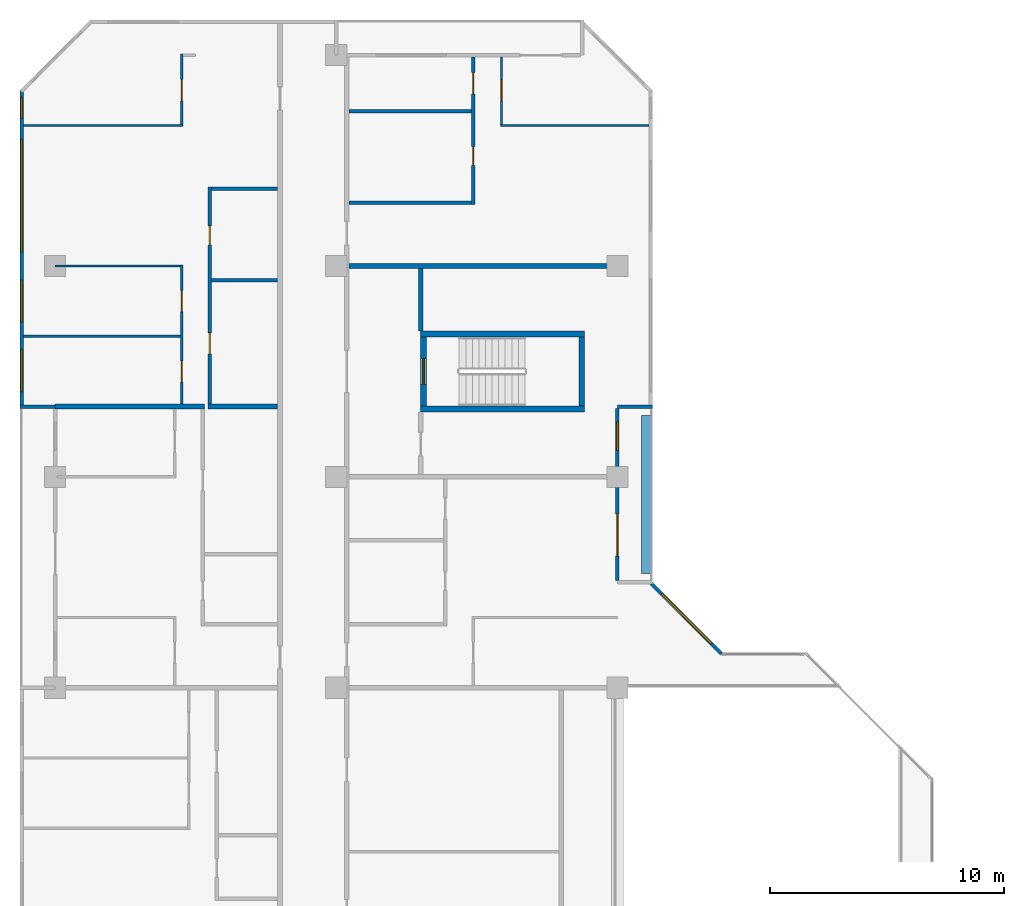
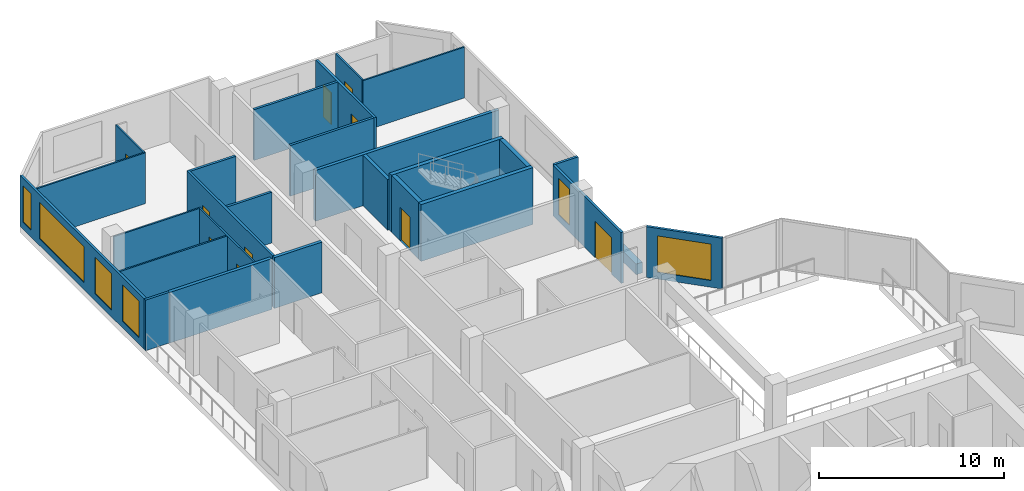
# One storey, part 10 of 14: 27 walls, 10 doors, 6 windows, 16 openings.
"""IFC4 building model written with IfcOpenShell, lengths in metres."""

from ifc_helpers import new_model, si_unit, direction, frame, frame_2d, origin, place, context, subcontext, project, spatial, rectangle, extrude, material, layer, layer_set, type_object, element, fill, save


model = new_model("IFC4")

# Units and contexts
model_context = context("Model", 3, precision=1e-05, world=origin(), true_north=direction((0.0, 1.0)))
body_context = subcontext(model_context, "Body", "Model", "MODEL_VIEW")
ifc_project = project(units=[si_unit("LENGTHUNIT", "METRE"), si_unit("AREAUNIT", "SQUARE_METRE"), si_unit("VOLUMEUNIT", "CUBIC_METRE"), si_unit("PLANEANGLEUNIT", "RADIAN"), si_unit("MASSUNIT", "GRAM", prefix="KILO")], contexts=[model_context])

# Site, building, storey
site_placement = place(None, origin())
site = spatial("IfcSite", under=ifc_project, at=site_placement, CompositionType="ELEMENT")
building_placement = place(site_placement, origin())
building = spatial("IfcBuilding", under=site, at=building_placement, Name="Chenar Terraces", CompositionType="ELEMENT")
storey_placement = place(building_placement, frame((0.0, 0.0, 183.64990234375)))
storey = spatial("IfcBuildingStorey", under=building, at=storey_placement, Name="L42", CompositionType="ELEMENT", Elevation=183.64990234375)

# Walls
ifc_material_1 = material(Name="Concrete C60/75", Category="concrete")
ifc_layer_1 = layer(ifc_material_1, 0.25)
ifc_layer_set_1 = layer_set([ifc_layer_1], Name="Concrete C60/75")
wall_type_1 = type_object("IfcWallType", Name="Core wall 250 Concrete C60/75", PredefinedType="SHEAR", material=ifc_layer_set_1)
for number, where, z_axis, x_axis, name in (
    (1, (15.60009765625, 47.89990234375, 0.0), (0.0, 0.0, 1.0), (1.0, 0.0, 0.0), "Core wall ST4_S L42"),
    (2, (15.60009765625, 51.10009765625, 0.0), (0.0, 0.0, 1.0), (1.0, 0.0, 0.0), "Core wall ST4_N L42"),
):
    element("IfcWall", number, at=place(storey_placement, frame(where, z_axis=z_axis, x_axis=x_axis)), inside=storey, type_object=wall_type_1, Name=name, PredefinedType="SHEAR", context=body_context, shape_type="SweptSolid", body=[
        extrude(rectangle(XDim=7.0, YDim=0.25, at=frame_2d((3.5, 0.0))), origin(), (0.0, 0.0, 1.0), 3.75),
    ])

# Wall, opening, door
wall_1_placement = place(storey_placement, frame((15.72509765625, 48.02490234375, 0.0), z_axis=(0.0, 0.0, 1.0), x_axis=(0.0, 1.0, 0.0)))
wall_1 = element("IfcWall", 3, at=wall_1_placement, inside=storey, type_object=wall_type_1, Name="Core wall ST4_W L42", PredefinedType="SHEAR", context=body_context, shape_type="SweptSolid", body=[
    extrude(rectangle(XDim=2.9501953125, YDim=0.25, at=frame_2d((1.47509765625, 0.0))), origin(), (0.0, 0.0, 1.0), 3.75),
])
opening_1_placement = place(wall_1_placement, frame((0.925048828125, 0.0, 0.0)))
opening_1 = element("IfcOpeningElement", 4, at=opening_1_placement, cuts=wall_1, Name="Opening DL42-C9", PredefinedType="OPENING", context=body_context, shape_type="SweptSolid", body=[
    extrude(rectangle(XDim=1.10009765625, YDim=2.199951171875, at=frame_2d((0.550048828125, 1.10009765625))), frame((0.0, 0.135009765625, 0.0), z_axis=(0.0, -1.0, 0.0), x_axis=(1.0, 0.0, 0.0)), (0.0, 0.0, 1.0), 0.27001953125),
])
ifc_material_2 = material(Name="Steel-framed fire-resisting door leaf", Category="steel")
door_type_1 = type_object("IfcDoorType", Name="Stair fire door FD60 1100 x 2200", OperationType="SINGLE_SWING_LEFT", PredefinedType="DOOR", material=ifc_material_2)
door_1_placement = place(opening_1_placement, frame((1.10009765625, 0.0, 0.0), z_axis=(0.0, 0.0, 1.0), x_axis=(-1.0, 0.0, 0.0)))
door_1 = element("IfcDoor", 5, at=door_1_placement, inside=storey, type_object=door_type_1, Name="Stair door DL42-C9", OperationType="SINGLE_SWING_RIGHT", OverallHeight=2.199951171875, OverallWidth=1.10009765625, PredefinedType="DOOR", context=body_context, shape_type="SweptSolid", body=[
    extrude(rectangle(XDim=1.10009765625, YDim=2.199951171875, at=frame_2d((0.550048828125, 1.10009765625))), frame((0.0, 0.02490234375, 0.0), z_axis=(0.0, -1.0, 0.0), x_axis=(1.0, 0.0, 0.0)), (0.0, 0.0, 1.0), 0.050048828125),
])
fill(opening_1, door_1)

# Walls
wall_2_placement = place(storey_placement, frame((22.47509765625, 48.02490234375, 0.0), z_axis=(0.0, 0.0, 1.0), x_axis=(0.0, 1.0, 0.0)))
element("IfcWall", 6, at=wall_2_placement, inside=storey, type_object=wall_type_1, Name="Core wall ST4_E L42", PredefinedType="SHEAR", context=body_context, shape_type="SweptSolid", body=[
    extrude(rectangle(XDim=2.9501953125, YDim=0.25, at=frame_2d((1.47509765625, 0.0))), origin(), (0.0, 0.0, 1.0), 3.75),
])
ifc_material_3 = material(Name="Gypsum board on steel studs with fire boards", Category="steel")
ifc_layer_2 = layer(ifc_material_3, 0.199951171875)
ifc_layer_set_2 = layer_set([ifc_layer_2], Name="Gypsum board on steel studs with fire boards")
wall_type_2 = type_object("IfcWallType", Name="Corridor wall 200", PredefinedType="PARTITIONING", material=ifc_layer_set_2)
wall_3_placement = place(storey_placement, frame((15.60009765625, 51.22509765625, 0.0), z_axis=(0.0, 0.0, 1.0), x_axis=(0.0, 1.0, 0.0)))
element("IfcWall", 7, at=wall_3_placement, inside=storey, type_object=wall_type_2, Name="Partition L42-045", PredefinedType="PARTITIONING", context=body_context, shape_type="SweptSolid", body=[
    extrude(rectangle(XDim=2.6748046875, YDim=0.199951171875, at=frame_2d((1.33740234375, 0.0))), origin(), (0.0, 0.0, 1.0), 3.35009765625),
])

# Wall, openings, windows
ifc_material_4 = material(Name="Aluminium framed glazing", Category="aluminium")
ifc_layer_3 = layer(ifc_material_4, 0.14990234375)
ifc_layer_set_3 = layer_set([ifc_layer_3], Name="Aluminium framed glazing")
wall_type_3 = type_object("IfcWallType", Name="Glazed flush facade wall 150", PredefinedType="SOLIDWALL", material=ifc_layer_set_3)
wall_4_placement = place(storey_placement, frame((-1.425048828125, 61.5, 0.0), z_axis=(0.0, 0.0, 1.0), x_axis=(0.0, -1.0, 0.0)))
wall_4 = element("IfcWall", 8, at=wall_4_placement, inside=storey, type_object=wall_type_3, Name="Glazed flush facade wall", PredefinedType="SOLIDWALL", context=body_context, shape_type="SweptSolid", body=[
    extrude(rectangle(XDim=13.425048828125, YDim=0.14990234375, at=frame_2d((6.71240234375, 0.0))), origin(), (0.0, 0.0, 1.0), 3.35009765625),
])
opening_2_placement = place(wall_4_placement, frame((0.300048828125, 0.0, 0.449951171875)))
opening_2 = element("IfcOpeningElement", 9, at=opening_2_placement, cuts=wall_4, Name="Opening W90x240", PredefinedType="OPENING", context=body_context, shape_type="SweptSolid", body=[
    extrude(rectangle(XDim=0.89990234375, YDim=2.39990234375, at=frame_2d((0.449951171875, 1.199951171875))), frame((0.0, 0.0849609375, 0.0), z_axis=(0.0, -1.0, 0.0), x_axis=(1.0, 0.0, 0.0)), (0.0, 0.0, 1.0), 0.169921875),
])
opening_3_placement = place(wall_4_placement, frame((2.10009765625, 0.0, 0.449951171875)))
opening_3 = element("IfcOpeningElement", 10, at=opening_3_placement, cuts=wall_4, Name="Opening W480x240", PredefinedType="OPENING", context=body_context, shape_type="SweptSolid", body=[
    extrude(rectangle(XDim=4.800048828125, YDim=2.39990234375, at=frame_2d((2.39990234375, 1.199951171875))), frame((0.0, 0.0849609375, 0.0), z_axis=(0.0, -1.0, 0.0), x_axis=(1.0, 0.0, 0.0)), (0.0, 0.0, 1.0), 0.169921875),
])
opening_4_placement = place(wall_4_placement, frame((8.10009765625, 0.0, 0.449951171875)))
opening_4 = element("IfcOpeningElement", 11, at=opening_4_placement, cuts=wall_4, Name="Opening W180x240", PredefinedType="OPENING", context=body_context, shape_type="SweptSolid", body=[
    extrude(rectangle(XDim=1.800048828125, YDim=2.39990234375, at=frame_2d((0.89990234375, 1.199951171875))), frame((0.0, 0.0849609375, 0.0), z_axis=(0.0, -1.0, 0.0), x_axis=(1.0, 0.0, 0.0)), (0.0, 0.0, 1.0), 0.169921875),
])
opening_5_placement = place(wall_4_placement, frame((11.0625, 0.0, 0.449951171875)))
opening_5 = element("IfcOpeningElement", 12, at=opening_5_placement, cuts=wall_4, Name="Opening W180x240", PredefinedType="OPENING", context=body_context, shape_type="SweptSolid", body=[
    extrude(rectangle(XDim=1.800048828125, YDim=2.39990234375, at=frame_2d((0.89990234375, 1.199951171875))), frame((0.0, 0.0849609375, 0.0), z_axis=(0.0, -1.0, 0.0), x_axis=(1.0, 0.0, 0.0)), (0.0, 0.0, 1.0), 0.169921875),
])
ifc_material_5 = material(Name="Low emissivity double glazing, aluminium frame", Category="aluminium")
window_type_1 = type_object("IfcWindowType", Name="Fixed light 1800 x 2400", PartitioningType="SINGLE_PANEL", PredefinedType="WINDOW", material=ifc_material_5)
window_1_placement = place(opening_4_placement, origin())
window_1 = element("IfcWindow", 13, at=window_1_placement, inside=storey, type_object=window_type_1, Name="Window", OverallHeight=2.39990234375, OverallWidth=1.800048828125, PartitioningType="SINGLE_PANEL", PredefinedType="WINDOW", context=body_context, shape_type="SweptSolid", body=[
    extrude(rectangle(XDim=1.800048828125, YDim=2.39990234375, at=frame_2d((0.89990234375, 1.199951171875))), frame((0.0, 0.030029296875, 0.0), z_axis=(0.0, -1.0, 0.0), x_axis=(1.0, 0.0, 0.0)), (0.0, 0.0, 1.0), 0.06005859375),
])
fill(opening_4, window_1)
window_2_placement = place(opening_5_placement, origin())
window_2 = element("IfcWindow", 14, at=window_2_placement, inside=storey, type_object=window_type_1, Name="Window", OverallHeight=2.39990234375, OverallWidth=1.800048828125, PartitioningType="SINGLE_PANEL", PredefinedType="WINDOW", context=body_context, shape_type="SweptSolid", body=[
    extrude(rectangle(XDim=1.800048828125, YDim=2.39990234375, at=frame_2d((0.89990234375, 1.199951171875))), frame((0.0, 0.030029296875, 0.0), z_axis=(0.0, -1.0, 0.0), x_axis=(1.0, 0.0, 0.0)), (0.0, 0.0, 1.0), 0.06005859375),
])
fill(opening_5, window_2)
ifc_material_6 = material(Name="Low emissivity double glazing, aluminium frame", Category="aluminium")
window_type_2 = type_object("IfcWindowType", Name="Fixed light 4800 x 2400", PartitioningType="SINGLE_PANEL", PredefinedType="WINDOW", material=ifc_material_6)
window_3_placement = place(opening_3_placement, origin())
window_3 = element("IfcWindow", 15, at=window_3_placement, inside=storey, type_object=window_type_2, Name="Window", OverallHeight=2.39990234375, OverallWidth=4.800048828125, PartitioningType="SINGLE_PANEL", PredefinedType="WINDOW", context=body_context, shape_type="SweptSolid", body=[
    extrude(rectangle(XDim=4.800048828125, YDim=2.39990234375, at=frame_2d((2.39990234375, 1.199951171875))), frame((0.0, 0.030029296875, 0.0), z_axis=(0.0, -1.0, 0.0), x_axis=(1.0, 0.0, 0.0)), (0.0, 0.0, 1.0), 0.06005859375),
])
fill(opening_3, window_3)
ifc_material_7 = material(Name="Low emissivity double glazing, aluminium frame", Category="aluminium")
window_type_3 = type_object("IfcWindowType", Name="Fixed light 900 x 2400", PartitioningType="SINGLE_PANEL", PredefinedType="WINDOW", material=ifc_material_7)
window_4_placement = place(opening_2_placement, origin())
window_4 = element("IfcWindow", 16, at=window_4_placement, inside=storey, type_object=window_type_3, Name="Window", OverallHeight=2.39990234375, OverallWidth=0.89990234375, PartitioningType="SINGLE_PANEL", PredefinedType="WINDOW", context=body_context, shape_type="SweptSolid", body=[
    extrude(rectangle(XDim=0.89990234375, YDim=2.39990234375, at=frame_2d((0.449951171875, 1.199951171875))), frame((0.0, 0.030029296875, 0.0), z_axis=(0.0, -1.0, 0.0), x_axis=(1.0, 0.0, 0.0)), (0.0, 0.0, 1.0), 0.06005859375),
])
fill(opening_2, window_4)

# Wall, openings, window, door
ifc_material_8 = material(Name="Aluminium framed glazing", Category="aluminium")
ifc_layer_4 = layer(ifc_material_8, 0.14990234375)
ifc_layer_set_4 = layer_set([ifc_layer_4], Name="Aluminium framed glazing")
wall_type_4 = type_object("IfcWallType", Name="Glazed loggia back wall 150", PredefinedType="SOLIDWALL", material=ifc_layer_set_4)
wall_5_placement = place(storey_placement, frame((24.0, 40.574951171875, 0.0), z_axis=(0.0, 0.0, 1.0), x_axis=(0.0, 1.0, 0.0)))
wall_5 = element("IfcWall", 17, at=wall_5_placement, inside=storey, type_object=wall_type_4, Name="Glazed loggia back wall", PredefinedType="SOLIDWALL", context=body_context, shape_type="SweptSolid", body=[
    extrude(rectangle(XDim=7.35009765625, YDim=0.14990234375, at=frame_2d((3.675048828125, 0.0))), origin(), (0.0, 0.0, 1.0), 3.35009765625),
])
opening_6_placement = place(wall_5_placement, frame((1.03759765625, 0.0, 0.0)))
opening_6 = element("IfcOpeningElement", 18, at=opening_6_placement, cuts=wall_5, Name="Opening DL42-G1", PredefinedType="OPENING", context=body_context, shape_type="SweptSolid", body=[
    extrude(rectangle(XDim=1.800048828125, YDim=2.39990234375, at=frame_2d((0.89990234375, 1.199951171875))), frame((0.0, 0.0849609375, 0.0), z_axis=(0.0, -1.0, 0.0), x_axis=(1.0, 0.0, 0.0)), (0.0, 0.0, 1.0), 0.169921875),
])
opening_7_placement = place(wall_5_placement, frame((5.5625, 0.0, 0.449951171875)))
opening_7 = element("IfcOpeningElement", 19, at=opening_7_placement, cuts=wall_5, Name="Opening W120x240", PredefinedType="OPENING", context=body_context, shape_type="SweptSolid", body=[
    extrude(rectangle(XDim=1.199951171875, YDim=2.39990234375, at=frame_2d((0.60009765625, 1.199951171875))), frame((0.0, 0.0849609375, 0.0), z_axis=(0.0, -1.0, 0.0), x_axis=(1.0, 0.0, 0.0)), (0.0, 0.0, 1.0), 0.169921875),
])
ifc_material_9 = material(Name="Low emissivity double glazing, aluminium frame", Category="aluminium")
window_type_4 = type_object("IfcWindowType", Name="Fixed light 1200 x 2400", PartitioningType="SINGLE_PANEL", PredefinedType="WINDOW", material=ifc_material_9)
window_5_placement = place(opening_7_placement, origin())
window_5 = element("IfcWindow", 20, at=window_5_placement, inside=storey, type_object=window_type_4, Name="Window", OverallHeight=2.39990234375, OverallWidth=1.199951171875, PartitioningType="SINGLE_PANEL", PredefinedType="WINDOW", context=body_context, shape_type="SweptSolid", body=[
    extrude(rectangle(XDim=1.199951171875, YDim=2.39990234375, at=frame_2d((0.60009765625, 1.199951171875))), frame((0.0, 0.030029296875, 0.0), z_axis=(0.0, -1.0, 0.0), x_axis=(1.0, 0.0, 0.0)), (0.0, 0.0, 1.0), 0.06005859375),
])
fill(opening_7, window_5)
ifc_material_10 = material(Name="Low emissivity double glazing, aluminium frame", Category="aluminium")
door_type_2 = type_object("IfcDoorType", Name="Loggia glazed double door 1800 x 2400", OperationType="DOUBLE_DOOR_SINGLE_SWING", PredefinedType="DOOR", material=ifc_material_10)
door_2_placement = place(opening_6_placement, frame((1.800048828125, 0.0, 0.0), z_axis=(0.0, 0.0, 1.0), x_axis=(-1.0, 0.0, 0.0)))
door_2 = element("IfcDoor", 21, at=door_2_placement, inside=storey, type_object=door_type_2, Name="Loggia glazed door", OperationType="DOUBLE_DOOR_SINGLE_SWING", OverallHeight=2.39990234375, OverallWidth=1.800048828125, PredefinedType="DOOR", context=body_context, shape_type="SweptSolid", body=[
    extrude(rectangle(XDim=1.800048828125, YDim=2.39990234375, at=frame_2d((0.89990234375, 1.199951171875))), frame((0.0, 0.02490234375, 0.0), z_axis=(0.0, -1.0, 0.0), x_axis=(1.0, 0.0, 0.0)), (0.0, 0.0, 1.0), 0.050048828125),
])
fill(opening_6, door_2)

# Walls
ifc_material_11 = material(Name="Gypsum board on steel studs", Category="steel")
ifc_layer_5 = layer(ifc_material_11, 0.10009765625)
ifc_layer_set_5 = layer_set([ifc_layer_5], Name="Gypsum board on steel studs")
wall_type_5 = type_object("IfcWallType", Name="Gypsum partition 100", PredefinedType="PARTITIONING", material=ifc_layer_set_5)
wall_6_placement = place(storey_placement, frame((-1.35009765625, 51.0, 0.0), z_axis=(0.0, 0.0, 1.0), x_axis=(1.0, 0.0, 0.0)))
element("IfcWall", 22, at=wall_6_placement, inside=storey, type_object=wall_type_5, Name="Partition L42-005", PredefinedType="PARTITIONING", context=body_context, shape_type="SweptSolid", body=[
    extrude(rectangle(XDim=6.7001953125, YDim=0.10009765625, at=frame_2d((3.35009765625, 0.0))), origin(), (0.0, 0.0, 1.0), 3.35009765625),
])
wall_7_placement = place(storey_placement, frame((0.0, 54.0, 0.0), z_axis=(0.0, 0.0, 1.0), x_axis=(1.0, 0.0, 0.0)))
element("IfcWall", 23, at=wall_7_placement, inside=storey, type_object=wall_type_5, Name="Partition L42-006", PredefinedType="PARTITIONING", context=body_context, shape_type="SweptSolid", body=[
    extrude(rectangle(XDim=5.35009765625, YDim=0.10009765625, at=frame_2d((2.675048828125, 0.0))), origin(), (0.0, 0.0, 1.0), 3.35009765625),
])
wall_8_placement = place(storey_placement, frame((-1.35009765625, 60.0, 0.0), z_axis=(0.0, 0.0, 1.0), x_axis=(1.0, 0.0, 0.0)))
element("IfcWall", 24, at=wall_8_placement, inside=storey, type_object=wall_type_5, Name="Partition L42-007", PredefinedType="PARTITIONING", context=body_context, shape_type="SweptSolid", body=[
    extrude(rectangle(XDim=6.800048828125, YDim=0.10009765625, at=frame_2d((3.39990234375, 0.0))), origin(), (0.0, 0.0, 1.0), 3.35009765625),
])

# Wall, openings, doors
wall_9_placement = place(storey_placement, frame((5.39990234375, 48.10009765625, 0.0), z_axis=(0.0, 0.0, 1.0), x_axis=(0.0, 1.0, 0.0)))
wall_9 = element("IfcWall", 25, at=wall_9_placement, inside=storey, type_object=wall_type_5, Name="Partition L42-015", PredefinedType="PARTITIONING", context=body_context, shape_type="SweptSolid", body=[
    extrude(rectangle(XDim=5.949951171875, YDim=0.10009765625, at=frame_2d((2.97509765625, 0.0))), origin(), (0.0, 0.0, 1.0), 3.35009765625),
])
opening_8_placement = place(wall_9_placement, frame((0.949951171875, 0.0, 0.0)))
opening_8 = element("IfcOpeningElement", 26, at=opening_8_placement, cuts=wall_9, Name="Opening DL42-29", PredefinedType="OPENING", context=body_context, shape_type="SweptSolid", body=[
    extrude(rectangle(XDim=0.89990234375, YDim=2.10009765625, at=frame_2d((0.449951171875, 1.050048828125))), frame((0.0, 0.06005859375, 0.0), z_axis=(0.0, -1.0, 0.0), x_axis=(1.0, 0.0, 0.0)), (0.0, 0.0, 1.0), 0.1201171875),
])
opening_9_placement = place(wall_9_placement, frame((3.949951171875, 0.0, 0.0)))
opening_9 = element("IfcOpeningElement", 27, at=opening_9_placement, cuts=wall_9, Name="Opening DL42-33", PredefinedType="OPENING", context=body_context, shape_type="SweptSolid", body=[
    extrude(rectangle(XDim=0.89990234375, YDim=2.10009765625, at=frame_2d((0.449951171875, 1.050048828125))), frame((0.0, 0.06005859375, 0.0), z_axis=(0.0, -1.0, 0.0), x_axis=(1.0, 0.0, 0.0)), (0.0, 0.0, 1.0), 0.1201171875),
])
ifc_material_12 = material(Name="Veneered timber door leaf", Category="wood")
door_type_3 = type_object("IfcDoorType", Name="Door 900 x 2100", OperationType="SINGLE_SWING_LEFT", PredefinedType="DOOR", material=ifc_material_12)
door_3_placement = place(opening_8_placement, origin())
door_3 = element("IfcDoor", 28, at=door_3_placement, inside=storey, type_object=door_type_3, Name="Door DL42-29", OperationType="SINGLE_SWING_RIGHT", OverallHeight=2.10009765625, OverallWidth=0.89990234375, PredefinedType="DOOR", context=body_context, shape_type="SweptSolid", body=[
    extrude(rectangle(XDim=0.89990234375, YDim=2.10009765625, at=frame_2d((0.449951171875, 1.050048828125))), frame((0.0, 0.02490234375, 0.0), z_axis=(0.0, -1.0, 0.0), x_axis=(1.0, 0.0, 0.0)), (0.0, 0.0, 1.0), 0.050048828125),
])
fill(opening_8, door_3)
door_4_placement = place(opening_9_placement, origin())
door_4 = element("IfcDoor", 29, at=door_4_placement, inside=storey, type_object=door_type_3, Name="Door DL42-33", OperationType="SINGLE_SWING_RIGHT", OverallHeight=2.10009765625, OverallWidth=0.89990234375, PredefinedType="DOOR", context=body_context, shape_type="SweptSolid", body=[
    extrude(rectangle(XDim=0.89990234375, YDim=2.10009765625, at=frame_2d((0.449951171875, 1.050048828125))), frame((0.0, 0.02490234375, 0.0), z_axis=(0.0, -1.0, 0.0), x_axis=(1.0, 0.0, 0.0)), (0.0, 0.0, 1.0), 0.050048828125),
])
fill(opening_9, door_4)

# Wall, opening, door
wall_10_placement = place(storey_placement, frame((5.39990234375, 60.050048828125, 0.0), z_axis=(0.0, 0.0, 1.0), x_axis=(0.0, 1.0, 0.0)))
wall_10 = element("IfcWall", 30, at=wall_10_placement, inside=storey, type_object=wall_type_5, Name="Partition L42-016", PredefinedType="PARTITIONING", context=body_context, shape_type="SweptSolid", body=[
    extrude(rectangle(XDim=3.0, YDim=0.10009765625, at=frame_2d((1.5, 0.0))), origin(), (0.0, 0.0, 1.0), 3.35009765625),
])
opening_10_placement = place(wall_10_placement, frame((1.0, 0.0, 0.0)))
opening_10 = element("IfcOpeningElement", 31, at=opening_10_placement, cuts=wall_10, Name="Opening DL42-30", PredefinedType="OPENING", context=body_context, shape_type="SweptSolid", body=[
    extrude(rectangle(XDim=0.89990234375, YDim=2.10009765625, at=frame_2d((0.449951171875, 1.050048828125))), frame((0.0, 0.06005859375, 0.0), z_axis=(0.0, -1.0, 0.0), x_axis=(1.0, 0.0, 0.0)), (0.0, 0.0, 1.0), 0.1201171875),
])
door_5_placement = place(opening_10_placement, origin())
door_5 = element("IfcDoor", 32, at=door_5_placement, inside=storey, type_object=door_type_3, Name="Door DL42-30", OperationType="SINGLE_SWING_LEFT", OverallHeight=2.10009765625, OverallWidth=0.89990234375, PredefinedType="DOOR", context=body_context, shape_type="SweptSolid", body=[
    extrude(rectangle(XDim=0.89990234375, YDim=2.10009765625, at=frame_2d((0.449951171875, 1.050048828125))), frame((0.0, 0.02490234375, 0.0), z_axis=(0.0, -1.0, 0.0), x_axis=(1.0, 0.0, 0.0)), (0.0, 0.0, 1.0), 0.050048828125),
])
fill(opening_10, door_5)

# Wall
wall_11_placement = place(storey_placement, frame((19.0, 60.0, 0.0), z_axis=(0.0, 0.0, 1.0), x_axis=(1.0, 0.0, 0.0)))
element("IfcWall", 33, at=wall_11_placement, inside=storey, type_object=wall_type_5, Name="Partition L42-050", PredefinedType="PARTITIONING", context=body_context, shape_type="SweptSolid", body=[
    extrude(rectangle(XDim=6.35009765625, YDim=0.10009765625, at=frame_2d((3.175048828125, 0.0))), origin(), (0.0, 0.0, 1.0), 3.35009765625),
])

# Wall, opening, door
wall_12_placement = place(storey_placement, frame((19.050048828125, 60.050048828125, 0.0), z_axis=(0.0, 0.0, 1.0), x_axis=(0.0, 1.0, 0.0)))
wall_12 = element("IfcWall", 34, at=wall_12_placement, inside=storey, type_object=wall_type_5, Name="Partition L42-051", PredefinedType="PARTITIONING", context=body_context, shape_type="SweptSolid", body=[
    extrude(rectangle(XDim=2.8759765625, YDim=0.10009765625, at=frame_2d((1.43798828125, 0.0))), origin(), (0.0, 0.0, 1.0), 3.35009765625),
])
opening_11_placement = place(wall_12_placement, frame((1.0, 0.0, 0.0)))
opening_11 = element("IfcOpeningElement", 35, at=opening_11_placement, cuts=wall_12, Name="Opening DL42-20", PredefinedType="OPENING", context=body_context, shape_type="SweptSolid", body=[
    extrude(rectangle(XDim=0.89990234375, YDim=2.10009765625, at=frame_2d((0.449951171875, 1.050048828125))), frame((0.0, 0.06005859375, 0.0), z_axis=(0.0, -1.0, 0.0), x_axis=(1.0, 0.0, 0.0)), (0.0, 0.0, 1.0), 0.1201171875),
])
door_6_placement = place(opening_11_placement, frame((0.89990234375, 0.0, 0.0), z_axis=(0.0, 0.0, 1.0), x_axis=(-1.0, 0.0, 0.0)))
door_6 = element("IfcDoor", 36, at=door_6_placement, inside=storey, type_object=door_type_3, Name="Door DL42-20", OperationType="SINGLE_SWING_LEFT", OverallHeight=2.10009765625, OverallWidth=0.89990234375, PredefinedType="DOOR", context=body_context, shape_type="SweptSolid", body=[
    extrude(rectangle(XDim=0.89990234375, YDim=2.10009765625, at=frame_2d((0.449951171875, 1.050048828125))), frame((0.0, 0.02490234375, 0.0), z_axis=(0.0, -1.0, 0.0), x_axis=(1.0, 0.0, 0.0)), (0.0, 0.0, 1.0), 0.050048828125),
])
fill(opening_11, door_6)

# Walls
ifc_material_13 = material(Name="Terracotta cladding on insulated backing", Category="masonry")
ifc_layer_6 = layer(ifc_material_13, 0.14990234375)
ifc_layer_set_6 = layer_set([ifc_layer_6], Name="Terracotta cladding on insulated backing")
wall_type_6 = type_object("IfcWallType", Name="Loggia return wall 150", PredefinedType="SOLIDWALL", material=ifc_layer_set_6)
for number, where, z_axis, x_axis, name in (
    (37, (25.5, 48.0, 0.0), (0.0, 0.0, 1.0), (-1.0, 0.0, 0.0), "Loggia return wall"),
    (38, (-1.5, 48.0, 0.0), (0.0, 0.0, 1.0), (1.0, 0.0, 0.0), "Loggia return wall"),
):
    element("IfcWall", number, at=place(storey_placement, frame(where, z_axis=z_axis, x_axis=x_axis)), inside=storey, type_object=wall_type_6, Name=name, PredefinedType="SOLIDWALL", context=body_context, shape_type="SweptSolid", body=[
        extrude(rectangle(XDim=1.5, YDim=0.14990234375, at=frame_2d((0.75, 0.0))), origin(), (0.0, 0.0, 1.0), 3.35009765625),
    ])

# Wall, opening, window
ifc_material_14 = material(Name="Terracotta cladding on insulated backing", Category="masonry")
ifc_layer_7 = layer(ifc_material_14, 0.14990234375)
ifc_layer_set_7 = layer_set([ifc_layer_7], Name="Terracotta cladding on insulated backing")
wall_type_7 = type_object("IfcWallType", Name="Terracotta rainscreen wall 150", PredefinedType="SOLIDWALL", material=ifc_layer_set_7)
wall_13_placement = place(storey_placement, frame((28.447021484375, 37.447021484375, 0.0), z_axis=(0.0, 0.0, 1.0), x_axis=(-0.707106781187, 0.707106781187, 0.0)))
wall_13 = element("IfcWall", 39, at=wall_13_placement, inside=storey, type_object=wall_type_7, Name="Terracotta rainscreen wall", PredefinedType="SOLIDWALL", context=body_context, shape_type="SweptSolid", body=[
    extrude(rectangle(XDim=4.24267578125, YDim=0.14990234375, at=frame_2d((2.121337890625, 0.0))), origin(), (0.0, 0.0, 1.0), 3.35009765625),
])
opening_12_placement = place(wall_13_placement, frame((0.621337890625, 0.0, 0.449951171875)))
opening_12 = element("IfcOpeningElement", 40, at=opening_12_placement, cuts=wall_13, Name="Opening W300x240", PredefinedType="OPENING", context=body_context, shape_type="SweptSolid", body=[
    extrude(rectangle(XDim=3.0, YDim=2.39990234375, at=frame_2d((1.5, 1.199951171875))), frame((0.0, 0.0849609375, 0.0), z_axis=(0.0, -1.0, 0.0), x_axis=(1.0, 0.0, 0.0)), (0.0, 0.0, 1.0), 0.169921875),
])
ifc_material_15 = material(Name="Low emissivity double glazing, aluminium frame", Category="aluminium")
window_type_5 = type_object("IfcWindowType", Name="Fixed light 3000 x 2400", PartitioningType="SINGLE_PANEL", PredefinedType="WINDOW", material=ifc_material_15)
window_6_placement = place(opening_12_placement, origin())
window_6 = element("IfcWindow", 41, at=window_6_placement, inside=storey, type_object=window_type_5, Name="Window", OverallHeight=2.39990234375, OverallWidth=3.0, PartitioningType="SINGLE_PANEL", PredefinedType="WINDOW", context=body_context, shape_type="SweptSolid", body=[
    extrude(rectangle(XDim=3.0, YDim=2.39990234375, at=frame_2d((1.5, 1.199951171875))), frame((0.0, 0.030029296875, 0.0), z_axis=(0.0, -1.0, 0.0), x_axis=(1.0, 0.0, 0.0)), (0.0, 0.0, 1.0), 0.06005859375),
])
fill(opening_12, window_6)

# Walls
ifc_material_16 = material(Name="Twin gypsum board on steel studs with mineral wool", Category="steel")
ifc_layer_8 = layer(ifc_material_16, 0.199951171875)
ifc_layer_set_8 = layer_set([ifc_layer_8], Name="Twin gypsum board on steel studs with mineral wool")
wall_type_8 = type_object("IfcWallType", Name="Unit demising wall 200", PredefinedType="PARTITIONING", material=ifc_layer_set_8)
wall_14_placement = place(storey_placement, frame((0.0, 48.0, 0.0), z_axis=(0.0, 0.0, 1.0), x_axis=(1.0, 0.0, 0.0)))
element("IfcWall", 42, at=wall_14_placement, inside=storey, type_object=wall_type_8, Name="Partition L42-004", PredefinedType="PARTITIONING", context=body_context, shape_type="SweptSolid", body=[
    extrude(rectangle(XDim=6.375, YDim=0.199951171875, at=frame_2d((3.1875, 0.0))), origin(), (0.0, 0.0, 1.0), 3.35009765625),
])
wall_15_placement = place(storey_placement, frame((6.52490234375, 48.0, 0.0), z_axis=(0.0, 0.0, 1.0), x_axis=(1.0, 0.0, 0.0)))
element("IfcWall", 43, at=wall_15_placement, inside=storey, type_object=wall_type_8, Name="Partition L42-022", PredefinedType="PARTITIONING", context=body_context, shape_type="SweptSolid", body=[
    extrude(rectangle(XDim=2.97509765625, YDim=0.199951171875, at=frame_2d((1.487548828125, 0.0))), origin(), (0.0, 0.0, 1.0), 3.35009765625),
])
wall_16_placement = place(storey_placement, frame((12.550048828125, 54.0, 0.0), z_axis=(0.0, 0.0, 1.0), x_axis=(1.0, 0.0, 0.0)))
element("IfcWall", 44, at=wall_16_placement, inside=storey, type_object=wall_type_8, Name="Partition L42-041", PredefinedType="PARTITIONING", context=body_context, shape_type="SweptSolid", body=[
    extrude(rectangle(XDim=11.449951171875, YDim=0.199951171875, at=frame_2d((5.72509765625, 0.0))), origin(), (0.0, 0.0, 1.0), 3.35009765625),
])
ifc_material_17 = material(Name="GRP planter trough")
ifc_layer_9 = layer(ifc_material_17, 0.39990234375)
ifc_layer_set_9 = layer_set([ifc_layer_9], Name="GRP planter trough")
wall_type_9 = type_object("IfcWallType", Name="Vertical greenery planter 400", PredefinedType="SOLIDWALL", material=ifc_layer_set_9)
wall_17_placement = place(storey_placement, frame((25.22900390625, 40.875, 0.0), z_axis=(0.0, 0.0, 1.0), x_axis=(0.0, 1.0, 0.0)))
element("IfcWall", 45, at=wall_17_placement, inside=storey, type_object=wall_type_9, Name="Vertical greenery planter", PredefinedType="SOLIDWALL", context=body_context, shape_type="SweptSolid", body=[
    extrude(rectangle(XDim=6.75, YDim=0.39990234375, at=frame_2d((3.375, 0.0))), origin(), (0.0, 0.0, 1.0), 0.7001953125),
])

# Wall, openings, doors
ifc_material_18 = material(Name="Moisture-resistant gypsum board on steel studs", Category="steel")
ifc_layer_10 = layer(ifc_material_18, 0.14990234375)
ifc_layer_set_10 = layer_set([ifc_layer_10], Name="Moisture-resistant gypsum board on steel studs")
wall_type_10 = type_object("IfcWallType", Name="Wet-room partition 150", PredefinedType="PARTITIONING", material=ifc_layer_set_10)
wall_18_placement = place(storey_placement, frame((6.60009765625, 48.10009765625, 0.0), z_axis=(0.0, 0.0, 1.0), x_axis=(0.0, 1.0, 0.0)))
wall_18 = element("IfcWall", 46, at=wall_18_placement, inside=storey, type_object=wall_type_10, Name="Partition L42-023", PredefinedType="PARTITIONING", context=body_context, shape_type="SweptSolid", body=[
    extrude(rectangle(XDim=9.27490234375, YDim=0.14990234375, at=frame_2d((4.637451171875, 0.0))), origin(), (0.0, 0.0, 1.0), 3.35009765625),
])
opening_13_placement = place(wall_18_placement, frame((6.800048828125, 0.0, 0.0)))
opening_13 = element("IfcOpeningElement", 47, at=opening_13_placement, cuts=wall_18, Name="Opening DL42-28", PredefinedType="OPENING", context=body_context, shape_type="SweptSolid", body=[
    extrude(rectangle(XDim=0.800048828125, YDim=2.10009765625, at=frame_2d((0.39990234375, 1.050048828125))), frame((0.0, 0.0849609375, 0.0), z_axis=(0.0, -1.0, 0.0), x_axis=(1.0, 0.0, 0.0)), (0.0, 0.0, 1.0), 0.169921875),
])
opening_14_placement = place(wall_18_placement, frame((2.14990234375, 0.0, 0.0)))
opening_14 = element("IfcOpeningElement", 48, at=opening_14_placement, cuts=wall_18, Name="Opening DL42-31", PredefinedType="OPENING", context=body_context, shape_type="SweptSolid", body=[
    extrude(rectangle(XDim=0.89990234375, YDim=2.10009765625, at=frame_2d((0.449951171875, 1.050048828125))), frame((0.0, 0.0849609375, 0.0), z_axis=(0.0, -1.0, 0.0), x_axis=(1.0, 0.0, 0.0)), (0.0, 0.0, 1.0), 0.169921875),
])
ifc_material_19 = material(Name="Veneered timber door leaf", Category="wood")
door_type_4 = type_object("IfcDoorType", Name="Door 800 x 2100", OperationType="SINGLE_SWING_LEFT", PredefinedType="DOOR", material=ifc_material_19)
door_7_placement = place(opening_13_placement, frame((0.800048828125, 0.0, 0.0), z_axis=(0.0, 0.0, 1.0), x_axis=(-1.0, 0.0, 0.0)))
door_7 = element("IfcDoor", 49, at=door_7_placement, inside=storey, type_object=door_type_4, Name="Door DL42-28", OperationType="SINGLE_SWING_RIGHT", OverallHeight=2.10009765625, OverallWidth=0.800048828125, PredefinedType="DOOR", context=body_context, shape_type="SweptSolid", body=[
    extrude(rectangle(XDim=0.800048828125, YDim=2.10009765625, at=frame_2d((0.39990234375, 1.050048828125))), frame((0.0, 0.02490234375, 0.0), z_axis=(0.0, -1.0, 0.0), x_axis=(1.0, 0.0, 0.0)), (0.0, 0.0, 1.0), 0.050048828125),
])
fill(opening_13, door_7)
door_8_placement = place(opening_14_placement, frame((0.89990234375, 0.0, 0.0), z_axis=(0.0, 0.0, 1.0), x_axis=(-1.0, 0.0, 0.0)))
door_8 = element("IfcDoor", 50, at=door_8_placement, inside=storey, type_object=door_type_3, Name="Door DL42-31", OperationType="SINGLE_SWING_LEFT", OverallHeight=2.10009765625, OverallWidth=0.89990234375, PredefinedType="DOOR", context=body_context, shape_type="SweptSolid", body=[
    extrude(rectangle(XDim=0.89990234375, YDim=2.10009765625, at=frame_2d((0.449951171875, 1.050048828125))), frame((0.0, 0.02490234375, 0.0), z_axis=(0.0, -1.0, 0.0), x_axis=(1.0, 0.0, 0.0)), (0.0, 0.0, 1.0), 0.050048828125),
])
fill(opening_14, door_8)

# Walls
for number, where, z_axis, x_axis, name in (
    (51, (6.675048828125, 53.39990234375, 0.0), (0.0, 0.0, 1.0), (1.0, 0.0, 0.0), "Partition L42-024"),
    (52, (6.675048828125, 57.300048828125, 0.0), (0.0, 0.0, 1.0), (1.0, 0.0, 0.0), "Partition L42-025"),
):
    element("IfcWall", number, at=place(storey_placement, frame(where, z_axis=z_axis, x_axis=x_axis)), inside=storey, type_object=wall_type_10, Name=name, PredefinedType="PARTITIONING", context=body_context, shape_type="SweptSolid", body=[
        extrude(rectangle(XDim=2.824951171875, YDim=0.14990234375, at=frame_2d((1.41259765625, 0.0))), origin(), (0.0, 0.0, 1.0), 3.35009765625),
    ])
for number, where, z_axis, x_axis, name in (
    (53, (12.550048828125, 56.699951171875, 0.0), (0.0, 0.0, 1.0), (1.0, 0.0, 0.0), "Partition L42-042"),
    (54, (12.550048828125, 60.60009765625, 0.0), (0.0, 0.0, 1.0), (1.0, 0.0, 0.0), "Partition L42-043"),
):
    element("IfcWall", number, at=place(storey_placement, frame(where, z_axis=z_axis, x_axis=x_axis)), inside=storey, type_object=wall_type_10, Name=name, PredefinedType="PARTITIONING", context=body_context, shape_type="SweptSolid", body=[
        extrude(rectangle(XDim=5.224853515625, YDim=0.14990234375, at=frame_2d((2.6123046875, 0.0))), origin(), (0.0, 0.0, 1.0), 3.35009765625),
    ])

# Wall, openings, doors
wall_19_placement = place(storey_placement, frame((17.85009765625, 56.625, 0.0), z_axis=(0.0, 0.0, 1.0), x_axis=(0.0, 1.0, 0.0)))
wall_19 = element("IfcWall", 55, at=wall_19_placement, inside=storey, type_object=wall_type_10, Name="Partition L42-049", PredefinedType="PARTITIONING", context=body_context, shape_type="SweptSolid", body=[
    extrude(rectangle(XDim=6.301025390625, YDim=0.14990234375, at=frame_2d((3.150390625, 0.0))), origin(), (0.0, 0.0, 1.0), 3.35009765625),
])
opening_15_placement = place(wall_19_placement, frame((1.675048828125, 0.0, 0.0)))
opening_15 = element("IfcOpeningElement", 56, at=opening_15_placement, cuts=wall_19, Name="Opening DL42-19", PredefinedType="OPENING", context=body_context, shape_type="SweptSolid", body=[
    extrude(rectangle(XDim=0.800048828125, YDim=2.10009765625, at=frame_2d((0.39990234375, 1.050048828125))), frame((0.0, 0.0849609375, 0.0), z_axis=(0.0, -1.0, 0.0), x_axis=(1.0, 0.0, 0.0)), (0.0, 0.0, 1.0), 0.169921875),
])
opening_16_placement = place(wall_19_placement, frame((4.72509765625, 0.0, 0.0)))
opening_16 = element("IfcOpeningElement", 57, at=opening_16_placement, cuts=wall_19, Name="Opening DL42-21", PredefinedType="OPENING", context=body_context, shape_type="SweptSolid", body=[
    extrude(rectangle(XDim=0.89990234375, YDim=2.10009765625, at=frame_2d((0.449951171875, 1.050048828125))), frame((0.0, 0.0849609375, 0.0), z_axis=(0.0, -1.0, 0.0), x_axis=(1.0, 0.0, 0.0)), (0.0, 0.0, 1.0), 0.169921875),
])
door_9_placement = place(opening_15_placement, origin())
door_9 = element("IfcDoor", 58, at=door_9_placement, inside=storey, type_object=door_type_4, Name="Door DL42-19", OperationType="SINGLE_SWING_RIGHT", OverallHeight=2.10009765625, OverallWidth=0.800048828125, PredefinedType="DOOR", context=body_context, shape_type="SweptSolid", body=[
    extrude(rectangle(XDim=0.800048828125, YDim=2.10009765625, at=frame_2d((0.39990234375, 1.050048828125))), frame((0.0, 0.02490234375, 0.0), z_axis=(0.0, -1.0, 0.0), x_axis=(1.0, 0.0, 0.0)), (0.0, 0.0, 1.0), 0.050048828125),
])
fill(opening_15, door_9)
door_10_placement = place(opening_16_placement, origin())
door_10 = element("IfcDoor", 59, at=door_10_placement, inside=storey, type_object=door_type_3, Name="Door DL42-21", OperationType="SINGLE_SWING_LEFT", OverallHeight=2.10009765625, OverallWidth=0.89990234375, PredefinedType="DOOR", context=body_context, shape_type="SweptSolid", body=[
    extrude(rectangle(XDim=0.89990234375, YDim=2.10009765625, at=frame_2d((0.449951171875, 1.050048828125))), frame((0.0, 0.02490234375, 0.0), z_axis=(0.0, -1.0, 0.0), x_axis=(1.0, 0.0, 0.0)), (0.0, 0.0, 1.0), 0.050048828125),
])
fill(opening_16, door_10)

save(model, "model.ifc")
